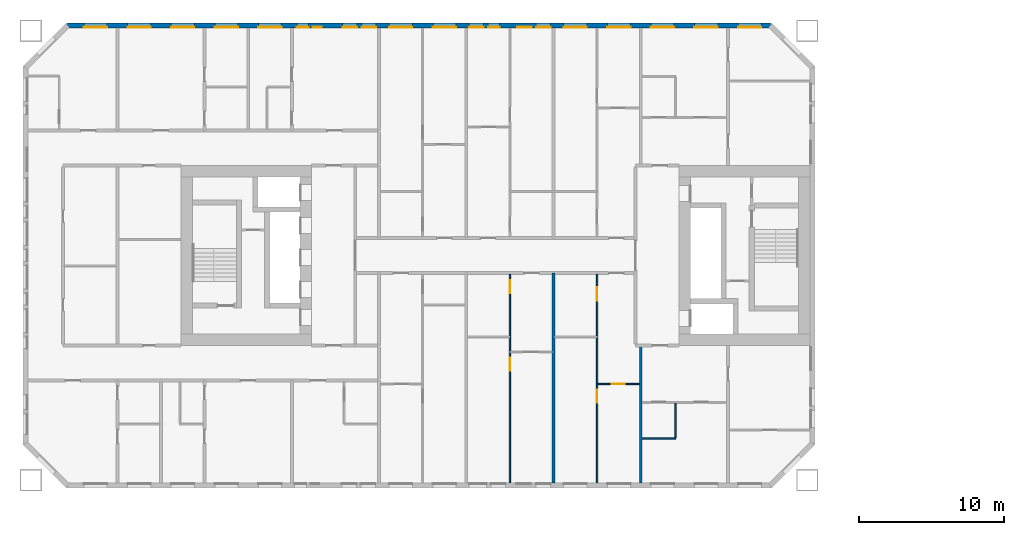
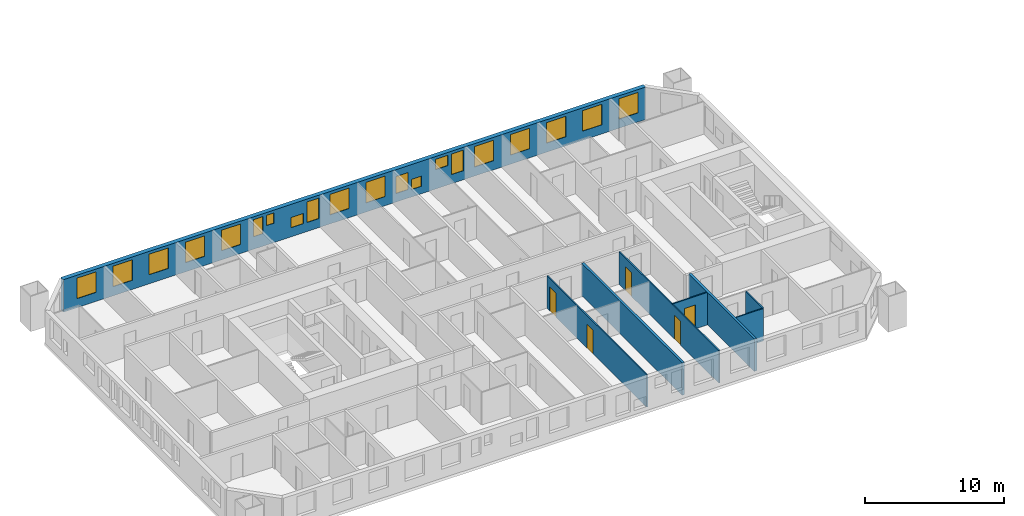
# One storey, part 7 of 19: 20 windows, 8 walls, 5 doors, 25 openings.
"""IFC4 building model written with IfcOpenShell, lengths in metres."""

from ifc_helpers import new_model, si_unit, direction, frame, frame_2d, origin, place, context, subcontext, project, spatial, rectangle, extrude, material, layer, layer_set, type_object, element, fill, save


model = new_model("IFC4")

# Units and contexts
model_context = context("Model", 3, precision=1e-05, world=origin(), true_north=direction((0.0, 1.0)))
body_context = subcontext(model_context, "Body", "Model", "MODEL_VIEW")
ifc_project = project(units=[si_unit("LENGTHUNIT", "METRE"), si_unit("AREAUNIT", "SQUARE_METRE"), si_unit("VOLUMEUNIT", "CUBIC_METRE"), si_unit("PLANEANGLEUNIT", "RADIAN"), si_unit("MASSUNIT", "GRAM", prefix="KILO")], contexts=[model_context])

# Site, building, storey
site_placement = place(None, origin())
site = spatial("IfcSite", under=ifc_project, at=site_placement, CompositionType="ELEMENT")
building_placement = place(site_placement, origin())
building = spatial("IfcBuilding", under=site, at=building_placement, Name="Tuart Gate Housing", CompositionType="ELEMENT")
storey_placement = place(building_placement, frame((0.0, 0.0, 56.699951171875)))
storey = spatial("IfcBuildingStorey", under=building, at=storey_placement, Name="L15", CompositionType="ELEMENT", Elevation=56.699951171875)

# Wall, openings, windows
ifc_material_1 = material(Name="Brick", Category="masonry")
ifc_layer_1 = layer(ifc_material_1, 0.360107421875)
ifc_layer_set_1 = layer_set([ifc_layer_1], Name="Brick pier and spandrel wall 360")
wall_type_1 = type_object("IfcWallType", Name="Brick pier and spandrel wall 360", PredefinedType="STANDARD", material=ifc_layer_set_1)
wall_1_placement = place(storey_placement, frame((72.92529296875, 85.820068359375, 0.0), z_axis=(0.0, 0.0, 1.0), x_axis=(-1.0, 0.0, 0.0)))
wall_1 = element("IfcWall", 1, at=wall_1_placement, inside=storey, type_object=wall_type_1, Name="External wall A-N L15", PredefinedType="STANDARD", context=body_context, shape_type="SweptSolid", body=[
    extrude(rectangle(XDim=48.350830078125, YDim=0.360107421875, at=frame_2d((24.17529296875, 0.0))), origin(), (0.0, 0.0, 1.0), 2.85009765625),
])
opening_1_placement = place(wall_1_placement, frame((0.62548828125, 0.0, 0.800048828125)))
opening_1 = element("IfcOpeningElement", 2, at=opening_1_placement, cuts=wall_1, Name="Opening W1", PredefinedType="OPENING", context=body_context, shape_type="SweptSolid", body=[
    extrude(rectangle(XDim=1.60009765625, YDim=1.800048828125, at=frame_2d((0.800048828125, 0.89990234375))), frame((0.0, 0.18994140625, 0.0), z_axis=(0.0, -1.0, 0.0), x_axis=(1.0, 0.0, 0.0)), (0.0, 0.0, 1.0), 0.380126953125),
])
opening_2_placement = place(wall_1_placement, frame((3.62548828125, 0.0, 0.800048828125)))
opening_2 = element("IfcOpeningElement", 3, at=opening_2_placement, cuts=wall_1, Name="Opening W1", PredefinedType="OPENING", context=body_context, shape_type="SweptSolid", body=[
    extrude(rectangle(XDim=1.60009765625, YDim=1.800048828125, at=frame_2d((0.800048828125, 0.89990234375))), frame((0.0, 0.18994140625, 0.0), z_axis=(0.0, -1.0, 0.0), x_axis=(1.0, 0.0, 0.0)), (0.0, 0.0, 1.0), 0.380126953125),
])
opening_3_placement = place(wall_1_placement, frame((6.62548828125, 0.0, 0.800048828125)))
opening_3 = element("IfcOpeningElement", 4, at=opening_3_placement, cuts=wall_1, Name="Opening W1", PredefinedType="OPENING", context=body_context, shape_type="SweptSolid", body=[
    extrude(rectangle(XDim=1.60009765625, YDim=1.800048828125, at=frame_2d((0.800048828125, 0.89990234375))), frame((0.0, 0.18994140625, 0.0), z_axis=(0.0, -1.0, 0.0), x_axis=(1.0, 0.0, 0.0)), (0.0, 0.0, 1.0), 0.380126953125),
])
opening_4_placement = place(wall_1_placement, frame((9.62548828125, 0.0, 0.800048828125)))
opening_4 = element("IfcOpeningElement", 5, at=opening_4_placement, cuts=wall_1, Name="Opening W1", PredefinedType="OPENING", context=body_context, shape_type="SweptSolid", body=[
    extrude(rectangle(XDim=1.60009765625, YDim=1.800048828125, at=frame_2d((0.800048828125, 0.89990234375))), frame((0.0, 0.18994140625, 0.0), z_axis=(0.0, -1.0, 0.0), x_axis=(1.0, 0.0, 0.0)), (0.0, 0.0, 1.0), 0.380126953125),
])
opening_5_placement = place(wall_1_placement, frame((12.62548828125, 0.0, 0.800048828125)))
opening_5 = element("IfcOpeningElement", 6, at=opening_5_placement, cuts=wall_1, Name="Opening W1", PredefinedType="OPENING", context=body_context, shape_type="SweptSolid", body=[
    extrude(rectangle(XDim=1.60009765625, YDim=1.800048828125, at=frame_2d((0.800048828125, 0.89990234375))), frame((0.0, 0.18994140625, 0.0), z_axis=(0.0, -1.0, 0.0), x_axis=(1.0, 0.0, 0.0)), (0.0, 0.0, 1.0), 0.380126953125),
])
opening_6_placement = place(wall_1_placement, frame((15.12548828125, 0.0, 0.800048828125)))
opening_6 = element("IfcOpeningElement", 7, at=opening_6_placement, cuts=wall_1, Name="Opening W1C", PredefinedType="OPENING", context=body_context, shape_type="SweptSolid", body=[
    extrude(rectangle(XDim=1.0, YDim=1.800048828125, at=frame_2d((0.5, 0.89990234375))), frame((0.0, 0.18994140625, 0.0), z_axis=(0.0, -1.0, 0.0), x_axis=(1.0, 0.0, 0.0)), (0.0, 0.0, 1.0), 0.380126953125),
])
opening_7_placement = place(wall_1_placement, frame((18.62548828125, 0.0, 0.64990234375)))
opening_7 = element("IfcOpeningElement", 8, at=opening_7_placement, cuts=wall_1, Name="Opening W1V", PredefinedType="OPENING", context=body_context, shape_type="SweptSolid", body=[
    extrude(rectangle(XDim=0.800048828125, YDim=0.89990234375, at=frame_2d((0.39990234375, 0.449951171875))), frame((0.0, 0.18994140625, 0.0), z_axis=(0.0, -1.0, 0.0), x_axis=(1.0, 0.0, 0.0)), (0.0, 0.0, 1.0), 0.380126953125),
])
opening_8_placement = place(wall_1_placement, frame((21.62548828125, 0.0, 0.800048828125)))
opening_8 = element("IfcOpeningElement", 9, at=opening_8_placement, cuts=wall_1, Name="Opening W1", PredefinedType="OPENING", context=body_context, shape_type="SweptSolid", body=[
    extrude(rectangle(XDim=1.60009765625, YDim=1.800048828125, at=frame_2d((0.800048828125, 0.89990234375))), frame((0.0, 0.18994140625, 0.0), z_axis=(0.0, -1.0, 0.0), x_axis=(1.0, 0.0, 0.0)), (0.0, 0.0, 1.0), 0.380126953125),
])
opening_9_placement = place(wall_1_placement, frame((24.62548828125, 0.0, 0.800048828125)))
opening_9 = element("IfcOpeningElement", 10, at=opening_9_placement, cuts=wall_1, Name="Opening W1", PredefinedType="OPENING", context=body_context, shape_type="SweptSolid", body=[
    extrude(rectangle(XDim=1.60009765625, YDim=1.800048828125, at=frame_2d((0.800048828125, 0.89990234375))), frame((0.0, 0.18994140625, 0.0), z_axis=(0.0, -1.0, 0.0), x_axis=(1.0, 0.0, 0.0)), (0.0, 0.0, 1.0), 0.380126953125),
])
opening_10_placement = place(wall_1_placement, frame((27.12548828125, 0.0, 0.800048828125)))
opening_10 = element("IfcOpeningElement", 11, at=opening_10_placement, cuts=wall_1, Name="Opening W1C", PredefinedType="OPENING", context=body_context, shape_type="SweptSolid", body=[
    extrude(rectangle(XDim=1.0, YDim=1.800048828125, at=frame_2d((0.5, 0.89990234375))), frame((0.0, 0.18994140625, 0.0), z_axis=(0.0, -1.0, 0.0), x_axis=(1.0, 0.0, 0.0)), (0.0, 0.0, 1.0), 0.380126953125),
])
opening_11_placement = place(wall_1_placement, frame((28.42529296875, 0.0, 0.800048828125)))
opening_11 = element("IfcOpeningElement", 12, at=opening_11_placement, cuts=wall_1, Name="Opening W1U", PredefinedType="OPENING", context=body_context, shape_type="SweptSolid", body=[
    extrude(rectangle(XDim=1.0, YDim=0.89990234375, at=frame_2d((0.5, 0.449951171875))), frame((0.0, 0.18994140625, 0.0), z_axis=(0.0, -1.0, 0.0), x_axis=(1.0, 0.0, 0.0)), (0.0, 0.0, 1.0), 0.380126953125),
])
opening_12_placement = place(wall_1_placement, frame((33.62548828125, 0.0, 0.800048828125)))
opening_12 = element("IfcOpeningElement", 13, at=opening_12_placement, cuts=wall_1, Name="Opening W1", PredefinedType="OPENING", context=body_context, shape_type="SweptSolid", body=[
    extrude(rectangle(XDim=1.60009765625, YDim=1.800048828125, at=frame_2d((0.800048828125, 0.89990234375))), frame((0.0, 0.18994140625, 0.0), z_axis=(0.0, -1.0, 0.0), x_axis=(1.0, 0.0, 0.0)), (0.0, 0.0, 1.0), 0.380126953125),
])
opening_13_placement = place(wall_1_placement, frame((36.62548828125, 0.0, 0.800048828125)))
opening_13 = element("IfcOpeningElement", 14, at=opening_13_placement, cuts=wall_1, Name="Opening W1", PredefinedType="OPENING", context=body_context, shape_type="SweptSolid", body=[
    extrude(rectangle(XDim=1.60009765625, YDim=1.800048828125, at=frame_2d((0.800048828125, 0.89990234375))), frame((0.0, 0.18994140625, 0.0), z_axis=(0.0, -1.0, 0.0), x_axis=(1.0, 0.0, 0.0)), (0.0, 0.0, 1.0), 0.380126953125),
])
opening_14_placement = place(wall_1_placement, frame((39.62548828125, 0.0, 0.800048828125)))
opening_14 = element("IfcOpeningElement", 15, at=opening_14_placement, cuts=wall_1, Name="Opening W1", PredefinedType="OPENING", context=body_context, shape_type="SweptSolid", body=[
    extrude(rectangle(XDim=1.60009765625, YDim=1.800048828125, at=frame_2d((0.800048828125, 0.89990234375))), frame((0.0, 0.18994140625, 0.0), z_axis=(0.0, -1.0, 0.0), x_axis=(1.0, 0.0, 0.0)), (0.0, 0.0, 1.0), 0.380126953125),
])
opening_15_placement = place(wall_1_placement, frame((42.62548828125, 0.0, 0.800048828125)))
opening_15 = element("IfcOpeningElement", 16, at=opening_15_placement, cuts=wall_1, Name="Opening W1", PredefinedType="OPENING", context=body_context, shape_type="SweptSolid", body=[
    extrude(rectangle(XDim=1.60009765625, YDim=1.800048828125, at=frame_2d((0.800048828125, 0.89990234375))), frame((0.0, 0.18994140625, 0.0), z_axis=(0.0, -1.0, 0.0), x_axis=(1.0, 0.0, 0.0)), (0.0, 0.0, 1.0), 0.380126953125),
])
opening_16_placement = place(wall_1_placement, frame((45.62548828125, 0.0, 0.800048828125)))
opening_16 = element("IfcOpeningElement", 17, at=opening_16_placement, cuts=wall_1, Name="Opening W1", PredefinedType="OPENING", context=body_context, shape_type="SweptSolid", body=[
    extrude(rectangle(XDim=1.60009765625, YDim=1.800048828125, at=frame_2d((0.800048828125, 0.89990234375))), frame((0.0, 0.18994140625, 0.0), z_axis=(0.0, -1.0, 0.0), x_axis=(1.0, 0.0, 0.0)), (0.0, 0.0, 1.0), 0.380126953125),
])
opening_17_placement = place(wall_1_placement, frame((16.42529296875, 0.0, 1.699951171875)))
opening_17 = element("IfcOpeningElement", 18, at=opening_17_placement, cuts=wall_1, Name="Opening W1U", PredefinedType="OPENING", context=body_context, shape_type="SweptSolid", body=[
    extrude(rectangle(XDim=1.0, YDim=0.89990234375, at=frame_2d((0.5, 0.449951171875))), frame((0.0, 0.18994140625, 0.0), z_axis=(0.0, -1.0, 0.0), x_axis=(1.0, 0.0, 0.0)), (0.0, 0.0, 1.0), 0.380126953125),
])
opening_18_placement = place(wall_1_placement, frame((19.725341796875, 0.0, 0.75)))
opening_18 = element("IfcOpeningElement", 19, at=opening_18_placement, cuts=wall_1, Name="Opening W1I", PredefinedType="OPENING", context=body_context, shape_type="SweptSolid", body=[
    extrude(rectangle(XDim=1.0, YDim=1.5, at=frame_2d((0.5, 0.75))), frame((0.0, 0.18994140625, 0.0), z_axis=(0.0, -1.0, 0.0), x_axis=(1.0, 0.0, 0.0)), (0.0, 0.0, 1.0), 0.380126953125),
])
opening_19_placement = place(wall_1_placement, frame((30.87548828125, 0.0, 1.699951171875)))
opening_19 = element("IfcOpeningElement", 20, at=opening_19_placement, cuts=wall_1, Name="Opening W1W", PredefinedType="OPENING", context=body_context, shape_type="SweptSolid", body=[
    extrude(rectangle(XDim=0.60009765625, YDim=0.89990234375, at=frame_2d((0.300048828125, 0.449951171875))), frame((0.0, 0.18994140625, 0.0), z_axis=(0.0, -1.0, 0.0), x_axis=(1.0, 0.0, 0.0)), (0.0, 0.0, 1.0), 0.380126953125),
])
opening_20_placement = place(wall_1_placement, frame((31.775390625, 0.0, 1.10009765625)))
opening_20 = element("IfcOpeningElement", 21, at=opening_20_placement, cuts=wall_1, Name="Opening W1J", PredefinedType="OPENING", context=body_context, shape_type="SweptSolid", body=[
    extrude(rectangle(XDim=0.800048828125, YDim=1.5, at=frame_2d((0.39990234375, 0.75))), frame((0.0, 0.18994140625, 0.0), z_axis=(0.0, -1.0, 0.0), x_axis=(1.0, 0.0, 0.0)), (0.0, 0.0, 1.0), 0.380126953125),
])
ifc_material_2 = material(Name="Aluminium frame with clear glass", Category="aluminium")
window_type_1 = type_object("IfcWindowType", Name="Punched window 1000 x 1500", PartitioningType="SINGLE_PANEL", PredefinedType="WINDOW", material=ifc_material_2)
window_1_placement = place(opening_18_placement, origin())
window_1 = element("IfcWindow", 22, at=window_1_placement, inside=storey, type_object=window_type_1, Name="Window W1I", OverallHeight=1.5, OverallWidth=1.0, PartitioningType="SINGLE_PANEL", PredefinedType="WINDOW", context=body_context, shape_type="SweptSolid", body=[
    extrude(rectangle(XDim=1.0, YDim=1.5, at=frame_2d((0.5, 0.75))), frame((0.0, 0.150146484375, 0.0), z_axis=(0.0, -1.0, 0.0), x_axis=(1.0, 0.0, 0.0)), (0.0, 0.0, 1.0), 0.06005859375),
])
fill(opening_18, window_1)
ifc_material_3 = material(Name="Aluminium frame with clear glass", Category="aluminium")
window_type_2 = type_object("IfcWindowType", Name="Punched window 1000 x 1800", PartitioningType="SINGLE_PANEL", PredefinedType="WINDOW", material=ifc_material_3)
window_2_placement = place(opening_6_placement, origin())
window_2 = element("IfcWindow", 23, at=window_2_placement, inside=storey, type_object=window_type_2, Name="Window W1C", OverallHeight=1.800048828125, OverallWidth=1.0, PartitioningType="SINGLE_PANEL", PredefinedType="WINDOW", context=body_context, shape_type="SweptSolid", body=[
    extrude(rectangle(XDim=1.0, YDim=1.800048828125, at=frame_2d((0.5, 0.89990234375))), frame((0.0, 0.150146484375, 0.0), z_axis=(0.0, -1.0, 0.0), x_axis=(1.0, 0.0, 0.0)), (0.0, 0.0, 1.0), 0.06005859375),
])
fill(opening_6, window_2)
window_3_placement = place(opening_10_placement, origin())
window_3 = element("IfcWindow", 24, at=window_3_placement, inside=storey, type_object=window_type_2, Name="Window W1C", OverallHeight=1.800048828125, OverallWidth=1.0, PartitioningType="SINGLE_PANEL", PredefinedType="WINDOW", context=body_context, shape_type="SweptSolid", body=[
    extrude(rectangle(XDim=1.0, YDim=1.800048828125, at=frame_2d((0.5, 0.89990234375))), frame((0.0, 0.150146484375, 0.0), z_axis=(0.0, -1.0, 0.0), x_axis=(1.0, 0.0, 0.0)), (0.0, 0.0, 1.0), 0.06005859375),
])
fill(opening_10, window_3)
ifc_material_4 = material(Name="Aluminium frame with clear glass", Category="aluminium")
window_type_3 = type_object("IfcWindowType", Name="Punched window 1000 x 900", PartitioningType="SINGLE_PANEL", PredefinedType="WINDOW", material=ifc_material_4)
window_4_placement = place(opening_11_placement, origin())
window_4 = element("IfcWindow", 25, at=window_4_placement, inside=storey, type_object=window_type_3, Name="Window W1U", OverallHeight=0.89990234375, OverallWidth=1.0, PartitioningType="SINGLE_PANEL", PredefinedType="WINDOW", context=body_context, shape_type="SweptSolid", body=[
    extrude(rectangle(XDim=1.0, YDim=0.89990234375, at=frame_2d((0.5, 0.449951171875))), frame((0.0, 0.150146484375, 0.0), z_axis=(0.0, -1.0, 0.0), x_axis=(1.0, 0.0, 0.0)), (0.0, 0.0, 1.0), 0.06005859375),
])
fill(opening_11, window_4)
window_5_placement = place(opening_17_placement, origin())
window_5 = element("IfcWindow", 26, at=window_5_placement, inside=storey, type_object=window_type_3, Name="Window W1U", OverallHeight=0.89990234375, OverallWidth=1.0, PartitioningType="SINGLE_PANEL", PredefinedType="WINDOW", context=body_context, shape_type="SweptSolid", body=[
    extrude(rectangle(XDim=1.0, YDim=0.89990234375, at=frame_2d((0.5, 0.449951171875))), frame((0.0, 0.150146484375, 0.0), z_axis=(0.0, -1.0, 0.0), x_axis=(1.0, 0.0, 0.0)), (0.0, 0.0, 1.0), 0.06005859375),
])
fill(opening_17, window_5)
ifc_material_5 = material(Name="Aluminium frame with clear glass", Category="aluminium")
window_type_4 = type_object("IfcWindowType", Name="Punched window 1600 x 1800", PartitioningType="SINGLE_PANEL", PredefinedType="WINDOW", material=ifc_material_5)
window_6_placement = place(opening_1_placement, origin())
window_6 = element("IfcWindow", 27, at=window_6_placement, inside=storey, type_object=window_type_4, Name="Window W1", OverallHeight=1.800048828125, OverallWidth=1.60009765625, PartitioningType="SINGLE_PANEL", PredefinedType="WINDOW", context=body_context, shape_type="SweptSolid", body=[
    extrude(rectangle(XDim=1.60009765625, YDim=1.800048828125, at=frame_2d((0.800048828125, 0.89990234375))), frame((0.0, 0.150146484375, 0.0), z_axis=(0.0, -1.0, 0.0), x_axis=(1.0, 0.0, 0.0)), (0.0, 0.0, 1.0), 0.06005859375),
])
fill(opening_1, window_6)
window_7_placement = place(opening_2_placement, origin())
window_7 = element("IfcWindow", 28, at=window_7_placement, inside=storey, type_object=window_type_4, Name="Window W1", OverallHeight=1.800048828125, OverallWidth=1.60009765625, PartitioningType="SINGLE_PANEL", PredefinedType="WINDOW", context=body_context, shape_type="SweptSolid", body=[
    extrude(rectangle(XDim=1.60009765625, YDim=1.800048828125, at=frame_2d((0.800048828125, 0.89990234375))), frame((0.0, 0.150146484375, 0.0), z_axis=(0.0, -1.0, 0.0), x_axis=(1.0, 0.0, 0.0)), (0.0, 0.0, 1.0), 0.06005859375),
])
fill(opening_2, window_7)
window_8_placement = place(opening_3_placement, origin())
window_8 = element("IfcWindow", 29, at=window_8_placement, inside=storey, type_object=window_type_4, Name="Window W1", OverallHeight=1.800048828125, OverallWidth=1.60009765625, PartitioningType="SINGLE_PANEL", PredefinedType="WINDOW", context=body_context, shape_type="SweptSolid", body=[
    extrude(rectangle(XDim=1.60009765625, YDim=1.800048828125, at=frame_2d((0.800048828125, 0.89990234375))), frame((0.0, 0.150146484375, 0.0), z_axis=(0.0, -1.0, 0.0), x_axis=(1.0, 0.0, 0.0)), (0.0, 0.0, 1.0), 0.06005859375),
])
fill(opening_3, window_8)
window_9_placement = place(opening_4_placement, origin())
window_9 = element("IfcWindow", 30, at=window_9_placement, inside=storey, type_object=window_type_4, Name="Window W1", OverallHeight=1.800048828125, OverallWidth=1.60009765625, PartitioningType="SINGLE_PANEL", PredefinedType="WINDOW", context=body_context, shape_type="SweptSolid", body=[
    extrude(rectangle(XDim=1.60009765625, YDim=1.800048828125, at=frame_2d((0.800048828125, 0.89990234375))), frame((0.0, 0.150146484375, 0.0), z_axis=(0.0, -1.0, 0.0), x_axis=(1.0, 0.0, 0.0)), (0.0, 0.0, 1.0), 0.06005859375),
])
fill(opening_4, window_9)
window_10_placement = place(opening_5_placement, origin())
window_10 = element("IfcWindow", 31, at=window_10_placement, inside=storey, type_object=window_type_4, Name="Window W1", OverallHeight=1.800048828125, OverallWidth=1.60009765625, PartitioningType="SINGLE_PANEL", PredefinedType="WINDOW", context=body_context, shape_type="SweptSolid", body=[
    extrude(rectangle(XDim=1.60009765625, YDim=1.800048828125, at=frame_2d((0.800048828125, 0.89990234375))), frame((0.0, 0.150146484375, 0.0), z_axis=(0.0, -1.0, 0.0), x_axis=(1.0, 0.0, 0.0)), (0.0, 0.0, 1.0), 0.06005859375),
])
fill(opening_5, window_10)
window_11_placement = place(opening_8_placement, origin())
window_11 = element("IfcWindow", 32, at=window_11_placement, inside=storey, type_object=window_type_4, Name="Window W1", OverallHeight=1.800048828125, OverallWidth=1.60009765625, PartitioningType="SINGLE_PANEL", PredefinedType="WINDOW", context=body_context, shape_type="SweptSolid", body=[
    extrude(rectangle(XDim=1.60009765625, YDim=1.800048828125, at=frame_2d((0.800048828125, 0.89990234375))), frame((0.0, 0.150146484375, 0.0), z_axis=(0.0, -1.0, 0.0), x_axis=(1.0, 0.0, 0.0)), (0.0, 0.0, 1.0), 0.06005859375),
])
fill(opening_8, window_11)
window_12_placement = place(opening_9_placement, origin())
window_12 = element("IfcWindow", 33, at=window_12_placement, inside=storey, type_object=window_type_4, Name="Window W1", OverallHeight=1.800048828125, OverallWidth=1.60009765625, PartitioningType="SINGLE_PANEL", PredefinedType="WINDOW", context=body_context, shape_type="SweptSolid", body=[
    extrude(rectangle(XDim=1.60009765625, YDim=1.800048828125, at=frame_2d((0.800048828125, 0.89990234375))), frame((0.0, 0.150146484375, 0.0), z_axis=(0.0, -1.0, 0.0), x_axis=(1.0, 0.0, 0.0)), (0.0, 0.0, 1.0), 0.06005859375),
])
fill(opening_9, window_12)
window_13_placement = place(opening_12_placement, origin())
window_13 = element("IfcWindow", 34, at=window_13_placement, inside=storey, type_object=window_type_4, Name="Window W1", OverallHeight=1.800048828125, OverallWidth=1.60009765625, PartitioningType="SINGLE_PANEL", PredefinedType="WINDOW", context=body_context, shape_type="SweptSolid", body=[
    extrude(rectangle(XDim=1.60009765625, YDim=1.800048828125, at=frame_2d((0.800048828125, 0.89990234375))), frame((0.0, 0.150146484375, 0.0), z_axis=(0.0, -1.0, 0.0), x_axis=(1.0, 0.0, 0.0)), (0.0, 0.0, 1.0), 0.06005859375),
])
fill(opening_12, window_13)
window_14_placement = place(opening_13_placement, origin())
window_14 = element("IfcWindow", 35, at=window_14_placement, inside=storey, type_object=window_type_4, Name="Window W1", OverallHeight=1.800048828125, OverallWidth=1.60009765625, PartitioningType="SINGLE_PANEL", PredefinedType="WINDOW", context=body_context, shape_type="SweptSolid", body=[
    extrude(rectangle(XDim=1.60009765625, YDim=1.800048828125, at=frame_2d((0.800048828125, 0.89990234375))), frame((0.0, 0.150146484375, 0.0), z_axis=(0.0, -1.0, 0.0), x_axis=(1.0, 0.0, 0.0)), (0.0, 0.0, 1.0), 0.06005859375),
])
fill(opening_13, window_14)
window_15_placement = place(opening_14_placement, origin())
window_15 = element("IfcWindow", 36, at=window_15_placement, inside=storey, type_object=window_type_4, Name="Window W1", OverallHeight=1.800048828125, OverallWidth=1.60009765625, PartitioningType="SINGLE_PANEL", PredefinedType="WINDOW", context=body_context, shape_type="SweptSolid", body=[
    extrude(rectangle(XDim=1.60009765625, YDim=1.800048828125, at=frame_2d((0.800048828125, 0.89990234375))), frame((0.0, 0.150146484375, 0.0), z_axis=(0.0, -1.0, 0.0), x_axis=(1.0, 0.0, 0.0)), (0.0, 0.0, 1.0), 0.06005859375),
])
fill(opening_14, window_15)
window_16_placement = place(opening_15_placement, origin())
window_16 = element("IfcWindow", 37, at=window_16_placement, inside=storey, type_object=window_type_4, Name="Window W1", OverallHeight=1.800048828125, OverallWidth=1.60009765625, PartitioningType="SINGLE_PANEL", PredefinedType="WINDOW", context=body_context, shape_type="SweptSolid", body=[
    extrude(rectangle(XDim=1.60009765625, YDim=1.800048828125, at=frame_2d((0.800048828125, 0.89990234375))), frame((0.0, 0.150146484375, 0.0), z_axis=(0.0, -1.0, 0.0), x_axis=(1.0, 0.0, 0.0)), (0.0, 0.0, 1.0), 0.06005859375),
])
fill(opening_15, window_16)
window_17_placement = place(opening_16_placement, origin())
window_17 = element("IfcWindow", 38, at=window_17_placement, inside=storey, type_object=window_type_4, Name="Window W1", OverallHeight=1.800048828125, OverallWidth=1.60009765625, PartitioningType="SINGLE_PANEL", PredefinedType="WINDOW", context=body_context, shape_type="SweptSolid", body=[
    extrude(rectangle(XDim=1.60009765625, YDim=1.800048828125, at=frame_2d((0.800048828125, 0.89990234375))), frame((0.0, 0.150146484375, 0.0), z_axis=(0.0, -1.0, 0.0), x_axis=(1.0, 0.0, 0.0)), (0.0, 0.0, 1.0), 0.06005859375),
])
fill(opening_16, window_17)
ifc_material_6 = material(Name="Aluminium frame with clear glass", Category="aluminium")
window_type_5 = type_object("IfcWindowType", Name="Punched window 600 x 900", PartitioningType="SINGLE_PANEL", PredefinedType="WINDOW", material=ifc_material_6)
window_18_placement = place(opening_19_placement, origin())
window_18 = element("IfcWindow", 39, at=window_18_placement, inside=storey, type_object=window_type_5, Name="Window W1W", OverallHeight=0.89990234375, OverallWidth=0.60009765625, PartitioningType="SINGLE_PANEL", PredefinedType="WINDOW", context=body_context, shape_type="SweptSolid", body=[
    extrude(rectangle(XDim=0.60009765625, YDim=0.89990234375, at=frame_2d((0.300048828125, 0.449951171875))), frame((0.0, 0.150146484375, 0.0), z_axis=(0.0, -1.0, 0.0), x_axis=(1.0, 0.0, 0.0)), (0.0, 0.0, 1.0), 0.06005859375),
])
fill(opening_19, window_18)
ifc_material_7 = material(Name="Aluminium frame with clear glass", Category="aluminium")
window_type_6 = type_object("IfcWindowType", Name="Punched window 800 x 1500", PartitioningType="SINGLE_PANEL", PredefinedType="WINDOW", material=ifc_material_7)
window_19_placement = place(opening_20_placement, origin())
window_19 = element("IfcWindow", 40, at=window_19_placement, inside=storey, type_object=window_type_6, Name="Window W1J", OverallHeight=1.5, OverallWidth=0.800048828125, PartitioningType="SINGLE_PANEL", PredefinedType="WINDOW", context=body_context, shape_type="SweptSolid", body=[
    extrude(rectangle(XDim=0.800048828125, YDim=1.5, at=frame_2d((0.39990234375, 0.75))), frame((0.0, 0.150146484375, 0.0), z_axis=(0.0, -1.0, 0.0), x_axis=(1.0, 0.0, 0.0)), (0.0, 0.0, 1.0), 0.06005859375),
])
fill(opening_20, window_19)
ifc_material_8 = material(Name="Aluminium frame with clear glass", Category="aluminium")
window_type_7 = type_object("IfcWindowType", Name="Punched window 800 x 900", PartitioningType="SINGLE_PANEL", PredefinedType="WINDOW", material=ifc_material_8)
window_20_placement = place(opening_7_placement, origin())
window_20 = element("IfcWindow", 41, at=window_20_placement, inside=storey, type_object=window_type_7, Name="Window W1V", OverallHeight=0.89990234375, OverallWidth=0.800048828125, PartitioningType="SINGLE_PANEL", PredefinedType="WINDOW", context=body_context, shape_type="SweptSolid", body=[
    extrude(rectangle(XDim=0.800048828125, YDim=0.89990234375, at=frame_2d((0.39990234375, 0.449951171875))), frame((0.0, 0.150146484375, 0.0), z_axis=(0.0, -1.0, 0.0), x_axis=(1.0, 0.0, 0.0)), (0.0, 0.0, 1.0), 0.06005859375),
])
fill(opening_7, window_20)

# Wall
ifc_material_9 = material(Name="Gypsum board on steel studs", Category="steel")
ifc_layer_2 = layer(ifc_material_9, 0.10009765625)
ifc_layer_set_2 = layer_set([ifc_layer_2], Name="Partition 100")
wall_type_2 = type_object("IfcWallType", Name="Partition 100", PredefinedType="PARTITIONING", material=ifc_layer_set_2)
wall_2_placement = place(storey_placement, frame((64.10009765625, 57.39990234375, 0.0), z_axis=(0.0, 0.0, 1.0), x_axis=(1.0, 0.0, 0.0)))
element("IfcWall", 42, at=wall_2_placement, inside=storey, type_object=wall_type_2, Name="Partition 100", PredefinedType="PARTITIONING", context=body_context, shape_type="SweptSolid", body=[
    extrude(rectangle(XDim=2.2998046875, YDim=0.10009765625, at=frame_2d((1.14990234375, 0.0))), origin(), (0.0, 0.0, 1.0), 2.85009765625),
])

# Wall, opening, door
wall_3_placement = place(storey_placement, frame((61.0, 61.159912109375, 0.0), z_axis=(0.0, 0.0, 1.0), x_axis=(1.0, 0.0, 0.0)))
wall_3 = element("IfcWall", 43, at=wall_3_placement, inside=storey, type_object=wall_type_2, Name="Partition 100", PredefinedType="PARTITIONING", context=body_context, shape_type="SweptSolid", body=[
    extrude(rectangle(XDim=2.89990234375, YDim=0.10009765625, at=frame_2d((1.449951171875, 0.0))), origin(), (0.0, 0.0, 1.0), 2.85009765625),
])
opening_21_placement = place(wall_3_placement, frame((1.0, 0.0, 0.0)))
opening_21 = element("IfcOpeningElement", 44, at=opening_21_placement, cuts=wall_3, Name="Opening D768", PredefinedType="OPENING", context=body_context, shape_type="SweptSolid", body=[
    extrude(rectangle(XDim=0.89990234375, YDim=2.10009765625, at=frame_2d((0.449951171875, 1.050048828125))), frame((0.0, 0.06005859375, 0.0), z_axis=(0.0, -1.0, 0.0), x_axis=(1.0, 0.0, 0.0)), (0.0, 0.0, 1.0), 0.1201171875),
])
ifc_material_10 = material(Name="Timber door leaf in steel frame", Category="steel")
door_type_1 = type_object("IfcDoorType", Name="Internal door 900", OperationType="SINGLE_SWING_LEFT", PredefinedType="DOOR", material=ifc_material_10)
door_1_placement = place(opening_21_placement, origin())
door_1 = element("IfcDoor", 45, at=door_1_placement, inside=storey, type_object=door_type_1, Name="Internal door", OperationType="SINGLE_SWING_LEFT", OverallHeight=2.10009765625, OverallWidth=0.89990234375, PredefinedType="DOOR", context=body_context, shape_type="SweptSolid", body=[
    extrude(rectangle(XDim=0.89990234375, YDim=2.10009765625, at=frame_2d((0.449951171875, 1.050048828125))), frame((0.0, 0.02490234375, 0.0), z_axis=(0.0, -1.0, 0.0), x_axis=(1.0, 0.0, 0.0)), (0.0, 0.0, 1.0), 0.050048828125),
])
fill(opening_21, door_1)

# Wall, openings, doors
wall_4_placement = place(storey_placement, frame((55.0, 54.360107421875, 0.0), z_axis=(0.0, 0.0, 1.0), x_axis=(0.0, 1.0, 0.0)))
wall_4 = element("IfcWall", 46, at=wall_4_placement, inside=storey, type_object=wall_type_2, Name="Partition 100", PredefinedType="PARTITIONING", context=body_context, shape_type="SweptSolid", body=[
    extrude(rectangle(XDim=14.33984375, YDim=0.10009765625, at=frame_2d((7.169921875, 0.0))), origin(), (0.0, 0.0, 1.0), 2.85009765625),
])
opening_22_placement = place(wall_4_placement, frame((7.699951171875, 0.0, 0.0)))
opening_22 = element("IfcOpeningElement", 47, at=opening_22_placement, cuts=wall_4, Name="Opening D761", PredefinedType="OPENING", context=body_context, shape_type="SweptSolid", body=[
    extrude(rectangle(XDim=0.89990234375, YDim=2.10009765625, at=frame_2d((0.449951171875, 1.050048828125))), frame((0.0, 0.06005859375, 0.0), z_axis=(0.0, -1.0, 0.0), x_axis=(1.0, 0.0, 0.0)), (0.0, 0.0, 1.0), 0.1201171875),
])
opening_23_placement = place(wall_4_placement, frame((13.0400390625, 0.0, 0.0)))
opening_23 = element("IfcOpeningElement", 48, at=opening_23_placement, cuts=wall_4, Name="Opening D760", PredefinedType="OPENING", context=body_context, shape_type="SweptSolid", body=[
    extrude(rectangle(XDim=0.89990234375, YDim=2.10009765625, at=frame_2d((0.449951171875, 1.050048828125))), frame((0.0, 0.06005859375, 0.0), z_axis=(0.0, -1.0, 0.0), x_axis=(1.0, 0.0, 0.0)), (0.0, 0.0, 1.0), 0.1201171875),
])
ifc_material_11 = material(Name="Timber door leaf in steel frame", Category="steel")
door_type_2 = type_object("IfcDoorType", Name="Bathroom door 900 RH", OperationType="SINGLE_SWING_RIGHT", PredefinedType="DOOR", material=ifc_material_11)
door_2_placement = place(opening_23_placement, origin())
door_2 = element("IfcDoor", 49, at=door_2_placement, inside=storey, type_object=door_type_2, Name="Bathroom door", OperationType="SINGLE_SWING_RIGHT", OverallHeight=2.10009765625, OverallWidth=0.89990234375, PredefinedType="DOOR", context=body_context, shape_type="SweptSolid", body=[
    extrude(rectangle(XDim=0.89990234375, YDim=2.10009765625, at=frame_2d((0.449951171875, 1.050048828125))), frame((0.0, 0.02490234375, 0.0), z_axis=(0.0, -1.0, 0.0), x_axis=(1.0, 0.0, 0.0)), (0.0, 0.0, 1.0), 0.050048828125),
])
fill(opening_23, door_2)
ifc_material_12 = material(Name="Timber door leaf in steel frame", Category="steel")
door_type_3 = type_object("IfcDoorType", Name="Internal door 900 RH", OperationType="SINGLE_SWING_RIGHT", PredefinedType="DOOR", material=ifc_material_12)
door_3_placement = place(opening_22_placement, origin())
door_3 = element("IfcDoor", 50, at=door_3_placement, inside=storey, type_object=door_type_3, Name="Internal door", OperationType="SINGLE_SWING_RIGHT", OverallHeight=2.10009765625, OverallWidth=0.89990234375, PredefinedType="DOOR", context=body_context, shape_type="SweptSolid", body=[
    extrude(rectangle(XDim=0.89990234375, YDim=2.10009765625, at=frame_2d((0.449951171875, 1.050048828125))), frame((0.0, 0.02490234375, 0.0), z_axis=(0.0, -1.0, 0.0), x_axis=(1.0, 0.0, 0.0)), (0.0, 0.0, 1.0), 0.050048828125),
])
fill(opening_22, door_3)

wall_5_placement = place(storey_placement, frame((61.0, 54.360107421875, 0.0), z_axis=(0.0, 0.0, 1.0), x_axis=(0.0, 1.0, 0.0)))
wall_5 = element("IfcWall", 51, at=wall_5_placement, inside=storey, type_object=wall_type_2, Name="Partition 100", PredefinedType="PARTITIONING", context=body_context, shape_type="SweptSolid", body=[
    extrude(rectangle(XDim=14.33984375, YDim=0.10009765625, at=frame_2d((7.169921875, 0.0))), origin(), (0.0, 0.0, 1.0), 2.85009765625),
])
opening_24_placement = place(wall_5_placement, frame((5.5, 0.0, 0.0)))
opening_24 = element("IfcOpeningElement", 52, at=opening_24_placement, cuts=wall_5, Name="Opening D763", PredefinedType="OPENING", context=body_context, shape_type="SweptSolid", body=[
    extrude(rectangle(XDim=0.89990234375, YDim=2.10009765625, at=frame_2d((0.449951171875, 1.050048828125))), frame((0.0, 0.06005859375, 0.0), z_axis=(0.0, -1.0, 0.0), x_axis=(1.0, 0.0, 0.0)), (0.0, 0.0, 1.0), 0.1201171875),
])
opening_25_placement = place(wall_5_placement, frame((12.5400390625, 0.0, 0.0)))
opening_25 = element("IfcOpeningElement", 53, at=opening_25_placement, cuts=wall_5, Name="Opening D762", PredefinedType="OPENING", context=body_context, shape_type="SweptSolid", body=[
    extrude(rectangle(XDim=0.89990234375, YDim=2.10009765625, at=frame_2d((0.449951171875, 1.050048828125))), frame((0.0, 0.06005859375, 0.0), z_axis=(0.0, -1.0, 0.0), x_axis=(1.0, 0.0, 0.0)), (0.0, 0.0, 1.0), 0.1201171875),
])
door_4_placement = place(opening_25_placement, origin())
door_4 = element("IfcDoor", 54, at=door_4_placement, inside=storey, type_object=door_type_2, Name="Bathroom door", OperationType="SINGLE_SWING_RIGHT", OverallHeight=2.10009765625, OverallWidth=0.89990234375, PredefinedType="DOOR", context=body_context, shape_type="SweptSolid", body=[
    extrude(rectangle(XDim=0.89990234375, YDim=2.10009765625, at=frame_2d((0.449951171875, 1.050048828125))), frame((0.0, 0.02490234375, 0.0), z_axis=(0.0, -1.0, 0.0), x_axis=(1.0, 0.0, 0.0)), (0.0, 0.0, 1.0), 0.050048828125),
])
fill(opening_25, door_4)
door_5_placement = place(opening_24_placement, origin())
door_5 = element("IfcDoor", 55, at=door_5_placement, inside=storey, type_object=door_type_3, Name="Internal door", OperationType="SINGLE_SWING_RIGHT", OverallHeight=2.10009765625, OverallWidth=0.89990234375, PredefinedType="DOOR", context=body_context, shape_type="SweptSolid", body=[
    extrude(rectangle(XDim=0.89990234375, YDim=2.10009765625, at=frame_2d((0.449951171875, 1.050048828125))), frame((0.0, 0.02490234375, 0.0), z_axis=(0.0, -1.0, 0.0), x_axis=(1.0, 0.0, 0.0)), (0.0, 0.0, 1.0), 0.050048828125),
])
fill(opening_24, door_5)

# Walls
wall_6_placement = place(storey_placement, frame((66.39990234375, 57.449951171875, 0.0), z_axis=(0.0, 0.0, 1.0), x_axis=(0.0, 1.0, 0.0)))
element("IfcWall", 56, at=wall_6_placement, inside=storey, type_object=wall_type_2, Name="Partition 100", PredefinedType="PARTITIONING", context=body_context, shape_type="SweptSolid", body=[
    extrude(rectangle(XDim=2.400146484375, YDim=0.10009765625, at=frame_2d((1.2001953125, 0.0))), origin(), (0.0, 0.0, 1.0), 2.85009765625),
])
ifc_material_13 = material(Name="Concrete C40", Category="concrete")
ifc_layer_3 = layer(ifc_material_13, 0.199951171875)
ifc_layer_set_3 = layer_set([ifc_layer_3], Name="Party wall concrete C40 200")
wall_type_3 = type_object("IfcWallType", Name="Party wall concrete C40 200", PredefinedType="SOLIDWALL", material=ifc_layer_set_3)
wall_7_placement = place(storey_placement, frame((58.0, 54.360107421875, 0.0), z_axis=(0.0, 0.0, 1.0), x_axis=(0.0, 1.0, 0.0)))
element("IfcWall", 57, at=wall_7_placement, inside=storey, type_object=wall_type_3, Name="Party wall concrete C40 200", PredefinedType="SOLIDWALL", context=body_context, shape_type="SweptSolid", body=[
    extrude(rectangle(XDim=14.43994140625, YDim=0.199951171875, at=frame_2d((7.219970703125, 0.0))), origin(), (0.0, 0.0, 1.0), 2.85009765625),
])
wall_8_placement = place(storey_placement, frame((64.0, 54.360107421875, 0.0), z_axis=(0.0, 0.0, 1.0), x_axis=(0.0, 1.0, 0.0)))
element("IfcWall", 58, at=wall_8_placement, inside=storey, type_object=wall_type_3, Name="Party wall concrete C40 200", PredefinedType="SOLIDWALL", context=body_context, shape_type="SweptSolid", body=[
    extrude(rectangle(XDim=9.43994140625, YDim=0.199951171875, at=frame_2d((4.719970703125, 0.0))), origin(), (0.0, 0.0, 1.0), 2.85009765625),
])

save(model, "model.ifc")
